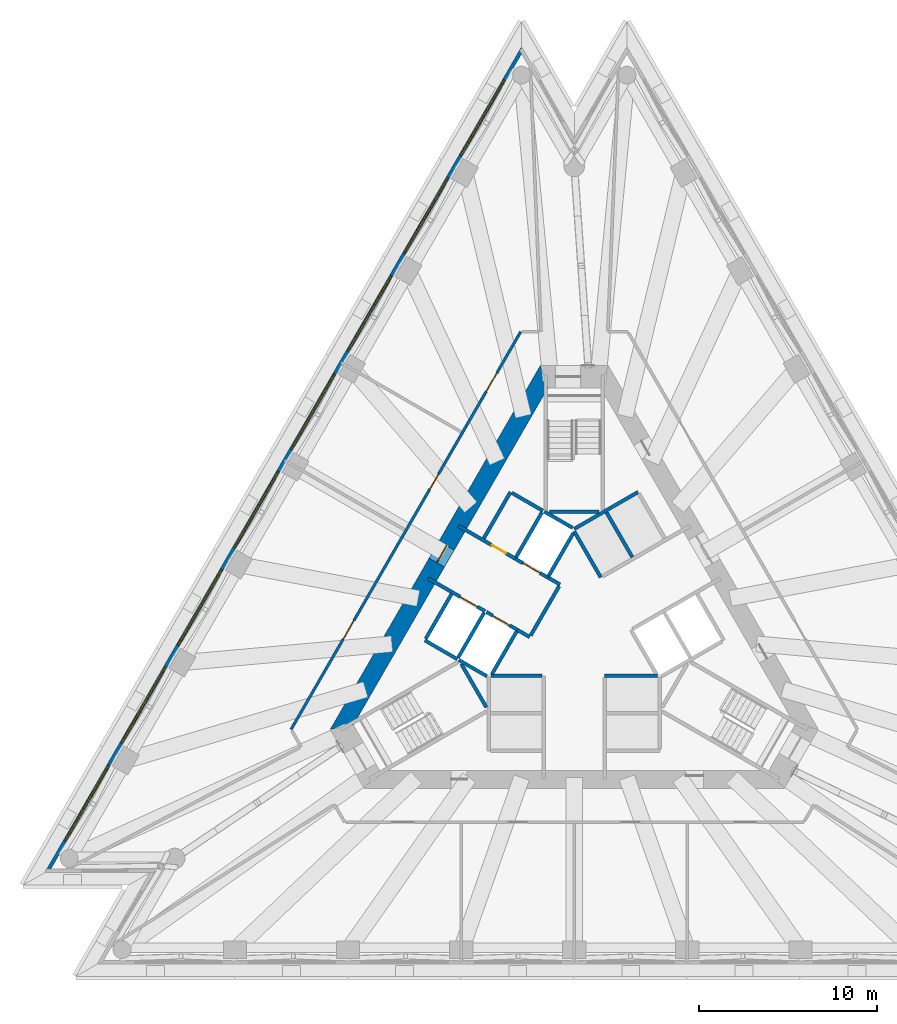
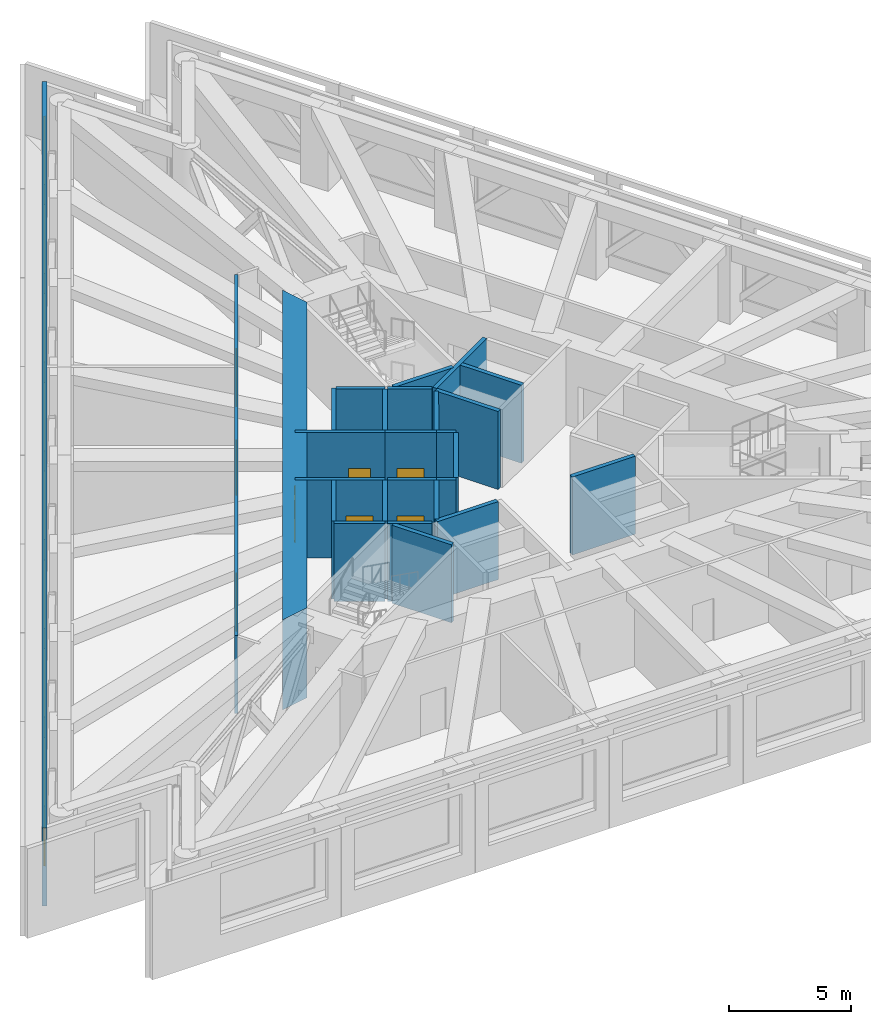
# One storey, part 7 of 12: 27 walls, 8 doors, 8 windows, 16 openings.
"""IFC4 building model written with IfcOpenShell, lengths in metres."""

from ifc_helpers import new_model, si_unit, direction, frame, frame_2d, origin, place, context, subcontext, project, spatial, polyline, rectangle, outline, extrude, material, layer, layer_set, layer_usage, type_object, element, fill, save


model = new_model("IFC4")

# Units and contexts
model_context = context("Model", 3, precision=1e-05, world=origin(), true_north=direction((0.0, 1.0)))
body_context = subcontext(model_context, "Body", "Model", "MODEL_VIEW")
ifc_project = project(units=[si_unit("LENGTHUNIT", "METRE"), si_unit("AREAUNIT", "SQUARE_METRE"), si_unit("VOLUMEUNIT", "CUBIC_METRE"), si_unit("PLANEANGLEUNIT", "RADIAN"), si_unit("MASSUNIT", "GRAM", prefix="KILO")], contexts=[model_context])

# Site, building, storey
site_placement = place(None, origin())
site = spatial("IfcSite", under=ifc_project, at=site_placement, CompositionType="ELEMENT")
building_placement = place(site_placement, origin())
building = spatial("IfcBuilding", under=site, at=building_placement, Name="Triada Interchange Tower", CompositionType="ELEMENT")
storey_placement = place(building_placement, frame((0.0, 0.0, 180.800048828125)))
storey = spatial("IfcBuildingStorey", under=building, at=storey_placement, Name="L42", CompositionType="ELEMENT", Elevation=180.800048828125)

# Walls
ifc_material_1 = material(Name="Concrete C30/37", Category="concrete")
ifc_layer_1 = layer(ifc_material_1, 0.199951171875)
ifc_layer_set_1 = layer_set([ifc_layer_1], Name="CORE WALL 200 EI 120")
wall_type_1 = type_object("IfcWallType", Name="CORE WALL 200 EI 120", PredefinedType="SOLIDWALL", material=ifc_layer_set_1)
wall_1_placement = place(storey_placement, frame((-8.3759765625, -0.70703125, 0.0), z_axis=(0.0, 0.0, 1.0), x_axis=(0.866067520717, -0.499927044236, 0.0)))
element("IfcWall", 1, at=wall_1_placement, inside=storey, type_object=wall_type_1, Name="Wall L42 22", PredefinedType="SOLIDWALL", context=body_context, shape_type="SweptSolid", body=[
    extrude(rectangle(XDim=2.100341796875, YDim=0.199951171875, at=frame_2d((1.05029296875, 0.0))), origin(), (0.0, 0.0, 1.0), 3.89990234375),
])
wall_2_placement = place(storey_placement, frame((-8.325927734375, -0.6201171875, 0.0), z_axis=(0.0, 0.0, 1.0), x_axis=(0.500023687443, 0.866011727401, 0.0)))
element("IfcWall", 2, at=wall_2_placement, inside=storey, type_object=wall_type_1, Name="Wall L42 23", PredefinedType="SOLIDWALL", context=body_context, shape_type="SweptSolid", body=[
    extrude(rectangle(XDim=2.899658203125, YDim=0.199951171875, at=frame_2d((1.44970703125, 0.0))), origin(), (0.0, 0.0, 1.0), 3.89990234375),
])
wall_3_placement = place(storey_placement, frame((-4.676025390625, -2.699951171875, 0.0), z_axis=(0.0, 0.0, 1.0), x_axis=(1.0, 0.0, 0.0)))
element("IfcWall", 3, at=wall_3_placement, inside=storey, type_object=wall_type_1, Name="Wall L42 30", PredefinedType="SOLIDWALL", context=body_context, shape_type="SweptSolid", body=[
    extrude(rectangle(XDim=2.873046875, YDim=0.199951171875, at=frame_2d((1.4365234375, 0.0))), origin(), (0.0, 0.0, 1.0), 3.89990234375),
])
wall_4_placement = place(storey_placement, frame((1.702880859375, -2.699951171875, 0.0), z_axis=(0.0, 0.0, 1.0), x_axis=(1.0, 0.0, 0.0)))
element("IfcWall", 4, at=wall_4_placement, inside=storey, type_object=wall_type_1, Name="Wall L42 31", PredefinedType="SOLIDWALL", context=body_context, shape_type="SweptSolid", body=[
    extrude(rectangle(XDim=2.97314453125, YDim=0.199951171875, at=frame_2d((1.486572265625, 0.0))), origin(), (0.0, 0.0, 1.0), 3.89990234375),
])
wall_5_placement = place(storey_placement, frame((-0.001953125, 5.541015625, 0.0), z_axis=(0.0, 0.0, 1.0), x_axis=(0.86600155993, 0.500041296494, 0.0)))
element("IfcWall", 5, at=wall_5_placement, inside=storey, type_object=wall_type_1, Name="Wall L42 32", PredefinedType="SOLIDWALL", context=body_context, shape_type="SweptSolid", body=[
    extrude(rectangle(XDim=4.131591796875, YDim=0.199951171875, at=frame_2d((2.06591796875, 0.0))), origin(), (0.0, 0.0, 1.0), 3.89990234375),
])
wall_6_placement = place(storey_placement, frame((0.0, 5.39990234375, 0.0), z_axis=(0.0, 0.0, 1.0), x_axis=(0.500103862429, -0.865965430478, 0.0)))
element("IfcWall", 6, at=wall_6_placement, inside=storey, type_object=wall_type_1, Name="Wall L42 33", PredefinedType="SOLIDWALL", context=body_context, shape_type="SweptSolid", body=[
    extrude(rectangle(XDim=2.973388671875, YDim=0.199951171875, at=frame_2d((1.48681640625, 0.0))), origin(), (0.0, 0.0, 1.0), 3.89990234375),
])
wall_7_placement = place(storey_placement, frame((1.806884765625, 6.469970703125, 0.0), z_axis=(0.0, 0.0, 1.0), x_axis=(0.50012328804, -0.865954211699, 0.0)))
element("IfcWall", 7, at=wall_7_placement, inside=storey, type_object=wall_type_1, Name="Wall L42 40", PredefinedType="SOLIDWALL", context=body_context, shape_type="SweptSolid", body=[
    extrude(rectangle(XDim=2.899658203125, YDim=0.199951171875, at=frame_2d((1.44970703125, 0.0))), origin(), (0.0, 0.0, 1.0), 3.89990234375),
])

# Wall, opening, door
ifc_layer_2 = layer(ifc_material_1, 0.199951171875)
ifc_layer_set_2 = layer_set([ifc_layer_2], Name="CORE WALL 200 EI 180")
wall_type_2 = type_object("IfcWallType", Name="CORE WALL 200 EI 180", PredefinedType="SOLIDWALL", material=ifc_layer_set_2)
wall_8_placement = place(storey_placement, frame((-8.194091796875, 2.76806640625, 0.0), z_axis=(0.0, 0.0, 1.0), x_axis=(0.866052002351, -0.499953927102, 0.0)))
wall_8 = element("IfcWall", 8, at=wall_8_placement, inside=storey, type_object=wall_type_2, Name="Wall L42 44", PredefinedType="SOLIDWALL", context=body_context, shape_type="SweptSolid", body=[
    extrude(rectangle(XDim=3.682373046875, YDim=0.199951171875, at=frame_2d((1.84130859375, 0.0))), origin(), (0.0, 0.0, 1.0), 3.89990234375),
])
opening_1_placement = place(wall_8_placement, frame((2.080078125, 0.0, 0.0)))
opening_1 = element("IfcOpeningElement", 9, at=opening_1_placement, cuts=wall_8, Name="Opening LD-SV1", PredefinedType="OPENING", context=body_context, shape_type="SweptSolid", body=[
    extrude(rectangle(XDim=1.10009765625, YDim=2.10009765625, at=frame_2d((0.550048828125, 1.050048828125))), frame((0.0, 0.10986328125, 0.0), z_axis=(0.0, -1.0, 0.0), x_axis=(1.0, 0.0, 0.0)), (0.0, 0.0, 1.0), 0.219970703125),
])
ifc_material_2 = material(Name="Steel S235 door leaf", Category="steel")
door_type_1 = type_object("IfcDoorType", Name="LIFT LANDING DOOR 1100 EI 120", OperationType="SLIDING_TO_LEFT", PredefinedType="DOOR", material=ifc_material_2)
door_1_placement = place(opening_1_placement, origin())
door_1 = element("IfcDoor", 10, at=door_1_placement, inside=storey, type_object=door_type_1, Name="SV1 landing door L42", OperationType="SLIDING_TO_LEFT", OverallHeight=2.10009765625, OverallWidth=1.10009765625, PredefinedType="DOOR", context=body_context, shape_type="SweptSolid", body=[
    extrude(rectangle(XDim=1.10009765625, YDim=2.10009765625, at=frame_2d((0.550048828125, 1.050048828125))), frame((0.0, 0.02490234375, 0.0), z_axis=(0.0, -1.0, 0.0), x_axis=(1.0, 0.0, 0.0)), (0.0, 0.0, 1.0), 0.050048828125),
])
fill(opening_1, door_1)

# Wall
wall_9_placement = place(storey_placement, frame((-3.18798828125, -0.1220703125, 0.0), z_axis=(0.0, 0.0, 1.0), x_axis=(0.865705793592, -0.50055317294, 0.0)))
element("IfcWall", 11, at=wall_9_placement, inside=storey, type_object=wall_type_2, Name="Wall L42 45", PredefinedType="SOLIDWALL", context=body_context, shape_type="SweptSolid", body=[
    extrude(rectangle(XDim=0.796875, YDim=0.199951171875, at=frame_2d((0.3984375, 0.0))), origin(), (0.0, 0.0, 1.0), 3.89990234375),
])

# Wall, opening, door
wall_10_placement = place(storey_placement, frame((-6.493896484375, 5.7119140625, 0.0), z_axis=(0.0, 0.0, 1.0), x_axis=(0.866064137879, -0.499932904579, 0.0)))
wall_10 = element("IfcWall", 12, at=wall_10_placement, inside=storey, type_object=wall_type_2, Name="Wall L42 46", PredefinedType="SOLIDWALL", context=body_context, shape_type="SweptSolid", body=[
    extrude(rectangle(XDim=3.68212890625, YDim=0.199951171875, at=frame_2d((1.841064453125, 0.0))), origin(), (0.0, 0.0, 1.0), 3.89990234375),
])
opening_2_placement = place(wall_10_placement, frame((2.179931640625, 0.0, 0.0)))
opening_2 = element("IfcOpeningElement", 13, at=opening_2_placement, cuts=wall_10, Name="Opening D42-04", PredefinedType="OPENING", context=body_context, shape_type="SweptSolid", body=[
    extrude(rectangle(XDim=0.89990234375, YDim=2.10009765625, at=frame_2d((0.449951171875, 1.050048828125))), frame((0.0, 0.10986328125, 0.0), z_axis=(0.0, -1.0, 0.0), x_axis=(1.0, 0.0, 0.0)), (0.0, 0.0, 1.0), 0.219970703125),
])
door_type_2 = type_object("IfcDoorType", Name="SERVICE DOOR 900 EI2 90-C5S200", OperationType="NOTDEFINED", PredefinedType="DOOR", material=ifc_material_2)
door_2_placement = place(opening_2_placement, origin())
door_2 = element("IfcDoor", 14, at=door_2_placement, inside=storey, type_object=door_type_2, Name="Door D42-04 L42", OperationType="SINGLE_SWING_LEFT", OverallHeight=2.10009765625, OverallWidth=0.89990234375, PredefinedType="DOOR", context=body_context, shape_type="SweptSolid", body=[
    extrude(rectangle(XDim=0.89990234375, YDim=2.10009765625, at=frame_2d((0.449951171875, 1.050048828125))), frame((0.0, 0.02490234375, 0.0), z_axis=(0.0, -1.0, 0.0), x_axis=(1.0, 0.0, 0.0)), (0.0, 0.0, 1.0), 0.050048828125),
])
fill(opening_2, door_2)

# Walls
wall_11_placement = place(storey_placement, frame((-1.488037109375, 2.822021484375, 0.0), z_axis=(0.0, 0.0, 1.0), x_axis=(0.866236612152, -0.499633997809, 0.0)))
element("IfcWall", 15, at=wall_11_placement, inside=storey, type_object=wall_type_2, Name="Wall L42 47", PredefinedType="SOLIDWALL", context=body_context, shape_type="SweptSolid", body=[
    extrude(rectangle(XDim=0.79638671875, YDim=0.199951171875, at=frame_2d((0.398193359375, 0.0))), origin(), (0.0, 0.0, 1.0), 3.89990234375),
])
wall_12_placement = place(storey_placement, frame((-5.075927734375, 5.009033203125, 0.0), z_axis=(0.0, 0.0, 1.0), x_axis=(0.50002537861, 0.866010750942, 0.0)))
element("IfcWall", 16, at=wall_12_placement, inside=storey, type_object=wall_type_2, Name="Wall L42 48", PredefinedType="SOLIDWALL", context=body_context, shape_type="SweptSolid", body=[
    extrude(rectangle(XDim=2.999755859375, YDim=0.199951171875, at=frame_2d((1.5, 0.0))), origin(), (0.0, 0.0, 1.0), 3.89990234375),
])
wall_13_placement = place(storey_placement, frame((-3.489013671875, 7.556884765625, 0.0), z_axis=(0.0, 0.0, 1.0), x_axis=(0.866010750942, -0.50002537861, 0.0)))
element("IfcWall", 17, at=wall_13_placement, inside=storey, type_object=wall_type_2, Name="Wall L42 49", PredefinedType="SOLIDWALL", context=body_context, shape_type="SweptSolid", body=[
    extrude(rectangle(XDim=2.0, YDim=0.199951171875, at=frame_2d((1.0, 0.0))), origin(), (0.0, 0.0, 1.0), 3.89990234375),
])
wall_14_placement = place(storey_placement, frame((-2.444091796875, -0.43310546875, 0.0), z_axis=(0.0, 0.0, 1.0), x_axis=(0.500035624827, 0.866004834804, 0.0)))
element("IfcWall", 18, at=wall_14_placement, inside=storey, type_object=wall_type_2, Name="Wall L42 50", PredefinedType="SOLIDWALL", context=body_context, shape_type="SweptSolid", body=[
    extrude(rectangle(XDim=3.194091796875, YDim=0.199951171875, at=frame_2d((1.59716796875, 0.0))), origin(), (0.0, 0.0, 1.0), 3.89990234375),
])
wall_15_placement = place(storey_placement, frame((-6.507080078125, -1.669921875, 0.0), z_axis=(0.0, 0.0, 1.0), x_axis=(0.50012328804, 0.865954211699, 0.0)))
element("IfcWall", 19, at=wall_15_placement, inside=storey, type_object=wall_type_2, Name="Shaft wall FF1 L42 51", PredefinedType="SOLIDWALL", context=body_context, shape_type="SweptSolid", body=[
    extrude(rectangle(XDim=2.899658203125, YDim=0.199951171875, at=frame_2d((1.44970703125, 0.0))), origin(), (0.0, 0.0, 1.0), 3.89990234375),
])
wall_16_placement = place(storey_placement, frame((-6.469970703125, -1.806884765625, 0.0), z_axis=(0.0, 0.0, 1.0), x_axis=(0.865883195159, -0.500246231712, 0.0)))
element("IfcWall", 20, at=wall_16_placement, inside=storey, type_object=wall_type_2, Name="Shaft wall FF1 L42 52", PredefinedType="SOLIDWALL", context=body_context, shape_type="SweptSolid", body=[
    extrude(rectangle(XDim=1.8154296875, YDim=0.199951171875, at=frame_2d((0.90771484375, 0.0))), origin(), (0.0, 0.0, 1.0), 3.89990234375),
])

# Wall, opening, door
wall_17_placement = place(storey_placement, frame((-4.922119140625, 0.87890625, 0.0), z_axis=(0.0, 0.0, 1.0), x_axis=(0.866073918653, -0.499915960366, 0.0)))
wall_17 = element("IfcWall", 21, at=wall_17_placement, inside=storey, type_object=wall_type_2, Name="Shaft wall FF1 L42 53", PredefinedType="SOLIDWALL", context=body_context, shape_type="SweptSolid", body=[
    extrude(rectangle(XDim=2.002197265625, YDim=0.199951171875, at=frame_2d((1.0009765625, 0.0))), origin(), (0.0, 0.0, 1.0), 3.89990234375),
])
opening_3_placement = place(wall_17_placement, frame((0.402099609375, 0.0, 0.0)))
opening_3 = element("IfcOpeningElement", 22, at=opening_3_placement, cuts=wall_17, Name="Opening LD-FF1", PredefinedType="OPENING", context=body_context, shape_type="SweptSolid", body=[
    extrude(rectangle(XDim=1.10009765625, YDim=2.10009765625, at=frame_2d((0.550048828125, 1.050048828125))), frame((0.0, 0.10986328125, 0.0), z_axis=(0.0, -1.0, 0.0), x_axis=(1.0, 0.0, 0.0)), (0.0, 0.0, 1.0), 0.219970703125),
])
door_3_placement = place(opening_3_placement, origin())
door_3 = element("IfcDoor", 23, at=door_3_placement, inside=storey, type_object=door_type_1, Name="FF1 landing door L42", OperationType="SLIDING_TO_LEFT", OverallHeight=2.10009765625, OverallWidth=1.10009765625, PredefinedType="DOOR", context=body_context, shape_type="SweptSolid", body=[
    extrude(rectangle(XDim=1.10009765625, YDim=2.10009765625, at=frame_2d((0.550048828125, 1.050048828125))), frame((0.0, 0.02490234375, 0.0), z_axis=(0.0, -1.0, 0.0), x_axis=(1.0, 0.0, 0.0)), (0.0, 0.0, 1.0), 0.050048828125),
])
fill(opening_3, door_3)

# Wall
wall_18_placement = place(storey_placement, frame((-4.618896484375, -2.60009765625, 0.0), z_axis=(0.0, 0.0, 1.0), x_axis=(0.50009492287, 0.865970593103, 0.0)))
element("IfcWall", 24, at=wall_18_placement, inside=storey, type_object=wall_type_2, Name="Shaft wall FF1 L42 54", PredefinedType="SOLIDWALL", context=body_context, shape_type="SweptSolid", body=[
    extrude(rectangle(XDim=2.76123046875, YDim=0.199951171875, at=frame_2d((1.380615234375, 0.0))), origin(), (0.0, 0.0, 1.0), 3.89990234375),
])

# Wall, opening, door
wall_19_placement = place(storey_placement, frame((-3.30908203125, 3.873046875, 0.0), z_axis=(0.0, 0.0, 1.0), x_axis=(0.866098583652, -0.499873227325, 0.0)))
wall_19 = element("IfcWall", 25, at=wall_19_placement, inside=storey, type_object=wall_type_2, Name="Shaft wall FF2 L42 55", PredefinedType="SOLIDWALL", context=body_context, shape_type="SweptSolid", body=[
    extrude(rectangle(XDim=2.1025390625, YDim=0.199951171875, at=frame_2d((1.05126953125, 0.0))), origin(), (0.0, 0.0, 1.0), 3.89990234375),
])
opening_4_placement = place(wall_19_placement, frame((0.501953125, 0.0, 0.0)))
opening_4 = element("IfcOpeningElement", 26, at=opening_4_placement, cuts=wall_19, Name="Opening LD-FF2", PredefinedType="OPENING", context=body_context, shape_type="SweptSolid", body=[
    extrude(rectangle(XDim=1.10009765625, YDim=2.10009765625, at=frame_2d((0.550048828125, 1.050048828125))), frame((0.0, 0.10986328125, 0.0), z_axis=(0.0, -1.0, 0.0), x_axis=(1.0, 0.0, 0.0)), (0.0, 0.0, 1.0), 0.219970703125),
])
door_4_placement = place(opening_4_placement, origin())
door_4 = element("IfcDoor", 27, at=door_4_placement, inside=storey, type_object=door_type_1, Name="FF2 landing door L42", OperationType="SLIDING_TO_LEFT", OverallHeight=2.10009765625, OverallWidth=1.10009765625, PredefinedType="DOOR", context=body_context, shape_type="SweptSolid", body=[
    extrude(rectangle(XDim=1.10009765625, YDim=2.10009765625, at=frame_2d((0.550048828125, 1.050048828125))), frame((0.0, 0.02490234375, 0.0), z_axis=(0.0, -1.0, 0.0), x_axis=(1.0, 0.0, 0.0)), (0.0, 0.0, 1.0), 0.050048828125),
])
fill(opening_4, door_4)

# Walls
wall_20_placement = place(storey_placement, frame((-3.257080078125, 3.958984375, 0.0), z_axis=(0.0, 0.0, 1.0), x_axis=(0.50012328804, 0.865954211699, 0.0)))
element("IfcWall", 28, at=wall_20_placement, inside=storey, type_object=wall_type_2, Name="Shaft wall FF2 L42 56", PredefinedType="SOLIDWALL", context=body_context, shape_type="SweptSolid", body=[
    extrude(rectangle(XDim=2.899658203125, YDim=0.199951171875, at=frame_2d((1.44970703125, 0.0))), origin(), (0.0, 0.0, 1.0), 3.89990234375),
])
wall_21_placement = place(storey_placement, frame((-1.669921875, 6.507080078125, 0.0), z_axis=(0.0, 0.0, 1.0), x_axis=(0.865941441609, -0.500145398563, 0.0)))
element("IfcWall", 29, at=wall_21_placement, inside=storey, type_object=wall_type_2, Name="Shaft wall FF2 L42 57", PredefinedType="SOLIDWALL", context=body_context, shape_type="SweptSolid", body=[
    extrude(rectangle(XDim=1.8154296875, YDim=0.199951171875, at=frame_2d((0.90771484375, 0.0))), origin(), (0.0, 0.0, 1.0), 3.89990234375),
])
wall_22_placement = place(storey_placement, frame((-1.43798828125, 2.908935546875, 0.0), z_axis=(0.0, 0.0, 1.0), x_axis=(0.499829630636, 0.866123744241, 0.0)))
element("IfcWall", 30, at=wall_22_placement, inside=storey, type_object=wall_type_2, Name="Shaft wall FF2 L42 58", PredefinedType="SOLIDWALL", context=body_context, shape_type="SweptSolid", body=[
    extrude(rectangle(XDim=2.7607421875, YDim=0.199951171875, at=frame_2d((1.38037109375, 0.0))), origin(), (0.0, 0.0, 1.0), 3.89990234375),
])
ifc_layer_3 = layer(ifc_material_1, 0.199951171875)
ifc_layer_set_3 = layer_set([ifc_layer_3], Name="CORE WALL 200 REI 240")
wall_type_3 = type_object("IfcWallType", Name="CORE WALL 200 REI 240", PredefinedType="SOLIDWALL", material=ifc_layer_set_3)
wall_23_placement = place(storey_placement, frame((-6.3291015625, -2.0380859375, 0.0), z_axis=(0.0, 0.0, 1.0), x_axis=(0.500200581029, -0.865909567298, 0.0)))
element("IfcWall", 31, at=wall_23_placement, inside=storey, type_object=wall_type_3, Name="Wall L42 60", PredefinedType="SOLIDWALL", context=body_context, shape_type="SweptSolid", body=[
    extrude(rectangle(XDim=2.799072265625, YDim=0.199951171875, at=frame_2d((1.3994140625, 0.0))), origin(), (0.0, 0.0, 1.0), 3.89990234375),
])
wall_24_placement = place(storey_placement, frame((-1.39990234375, 6.5, 0.0), z_axis=(0.0, 0.0, 1.0), x_axis=(1.0, 0.0, 0.0)))
element("IfcWall", 32, at=wall_24_placement, inside=storey, type_object=wall_type_3, Name="Wall L42 63", PredefinedType="SOLIDWALL", context=body_context, shape_type="SweptSolid", body=[
    extrude(rectangle(XDim=2.7998046875, YDim=0.199951171875, at=frame_2d((1.39990234375, 0.0))), origin(), (0.0, 0.0, 1.0), 3.89990234375),
])

# Wall, opening, door
ifc_material_3 = material(Name="Concrete C60/75", Category="concrete")
ifc_layer_4 = layer(ifc_material_3, 1.0)
ifc_layer_set_4 = layer_set([ifc_layer_4], Name="Core wall B 1000")
wall_type_4 = type_object("IfcWallType", Name="Core wall B 1000", PredefinedType="SHEAR", material=ifc_layer_set_4)
wall_25_placement = place(storey_placement, frame((-1.68896484375, 14.074951171875, -0.60009765625), z_axis=(0.0, 0.0, 1.0), x_axis=(-0.500003116884, -0.866023604243, 0.0)))
wall_25 = element("IfcWall", 33, at=wall_25_placement, inside=storey, type_object=wall_type_4, Name="Core wall WB02 L42", PredefinedType="SHEAR", context=body_context, shape_type="SweptSolid", body=[
    extrude(outline(polyline([(-0.43310546875, -0.5), (1.52978515625, -0.5), (3.492919921875, -0.5), (5.4560546875, -0.5), (7.4189453125, -0.5), (9.3818359375, -0.5), (11.344970703125, -0.5), (13.30810546875, -0.5), (15.27099609375, -0.5), (17.23388671875, -0.5), (19.197021484375, -0.5), (21.16015625, -0.5), (23.123046875, -0.5), (22.257080078125, 0.5), (20.273193359375, 0.5), (18.2890625, 0.5), (16.30517578125, 0.5), (14.321044921875, 0.5), (12.337158203125, 0.5), (10.35302734375, 0.5), (8.369140625, 0.5), (6.385009765625, 0.5), (4.401123046875, 0.5), (2.4169921875, 0.5), (0.43310546875, 0.5), (-0.43310546875, -0.5)])), origin(), (0.0, 0.0, 1.0), 4.5),
])
opening_5_placement = place(wall_25_placement, frame((10.93896484375, 0.0, 0.60009765625)))
opening_5 = element("IfcOpeningElement", 34, at=opening_5_placement, cuts=wall_25, Name="Opening D42-18", PredefinedType="OPENING", context=body_context, shape_type="SweptSolid", body=[
    extrude(rectangle(XDim=1.10009765625, YDim=2.10009765625, at=frame_2d((0.550048828125, 1.050048828125))), frame((0.0, 0.510009765625, 0.0), z_axis=(0.0, -1.0, 0.0), x_axis=(1.0, 0.0, 0.0)), (0.0, 0.0, 1.0), 1.02001953125),
])
door_type_3 = type_object("IfcDoorType", Name="FIRE LOBBY DOOR 1100 EI2 90-C5S200", OperationType="NOTDEFINED", PredefinedType="DOOR", material=ifc_material_2)
door_5_placement = place(opening_5_placement, origin())
door_5 = element("IfcDoor", 35, at=door_5_placement, inside=storey, type_object=door_type_3, Name="Door D42-18 L42", OperationType="SINGLE_SWING_LEFT", OverallHeight=2.10009765625, OverallWidth=1.10009765625, PredefinedType="DOOR", context=body_context, shape_type="SweptSolid", body=[
    extrude(rectangle(XDim=1.10009765625, YDim=2.10009765625, at=frame_2d((0.550048828125, 1.050048828125))), frame((0.0, 0.02490234375, 0.0), z_axis=(0.0, -1.0, 0.0), x_axis=(1.0, 0.0, 0.0)), (0.0, 0.0, 1.0), 0.050048828125),
])
fill(opening_5, door_5)

# Wall, openings, windows
ifc_material_4 = material(Name="Cement board")
ifc_layer_5 = layer(ifc_material_4, 0.02001953125, Name="Cement board cladding")
ifc_material_5 = material(Name="Sheathing board")
ifc_layer_6 = layer(ifc_material_5, 0.014892578125, Name="Sheathing board")
ifc_material_6 = material(Name="Mineral wool")
ifc_layer_7 = layer(ifc_material_6, 0.14990234375, Name="Mineral wool between steel studs")
ifc_material_7 = material(Name="Gypsum board")
ifc_layer_8 = layer(ifc_material_7, 0.014892578125, Name="Plasterboard lining")
ifc_layer_set_5 = layer_set([ifc_layer_5, ifc_layer_6, ifc_layer_7, ifc_layer_8], Name="External wall 200")
ifc_layer_usage = layer_usage(ifc_layer_set_5, "AXIS2", "POSITIVE", -0.10009765625)
wall_type_5 = type_object("IfcWallType", Name="External wall 200", PredefinedType="ELEMENTEDWALL", material=ifc_layer_set_5)
wall_26_placement = place(storey_placement, frame((-2.908935546875, 32.462890625, 0.0), z_axis=(0.0, 0.0, 1.0), x_axis=(-0.500011769953, -0.866018608292, 0.0)))
wall_26 = element("IfcWall", 36, at=wall_26_placement, inside=storey, type_object=wall_type_5, material=ifc_layer_usage, Name="External wall L42 NW", PredefinedType="ELEMENTEDWALL", context=body_context, shape_type="SweptSolid", body=[
    extrude(rectangle(XDim=53.299072265625, YDim=0.199951171875, at=frame_2d((26.6494140625, 0.0))), origin(), (0.0, 0.0, 1.0), 3.89990234375),
])
opening_6_placement = place(wall_26_placement, frame((2.02197265625, 0.0, 0.60009765625)))
opening_6 = element("IfcOpeningElement", 37, at=opening_6_placement, cuts=wall_26, Name="Opening LB01", PredefinedType="OPENING", context=body_context, shape_type="SweptSolid", body=[
    extrude(rectangle(XDim=4.89990234375, YDim=3.0, at=frame_2d((2.449951171875, 1.5))), frame((0.0, 0.10986328125, 0.0), z_axis=(0.0, -1.0, 0.0), x_axis=(1.0, 0.0, 0.0)), (0.0, 0.0, 1.0), 0.219970703125),
])
opening_7_placement = place(wall_26_placement, frame((8.361083984375, 0.0, 0.60009765625)))
opening_7 = element("IfcOpeningElement", 38, at=opening_7_placement, cuts=wall_26, Name="Opening LB02", PredefinedType="OPENING", context=body_context, shape_type="SweptSolid", body=[
    extrude(rectangle(XDim=4.89990234375, YDim=3.0, at=frame_2d((2.449951171875, 1.5))), frame((0.0, 0.10986328125, 0.0), z_axis=(0.0, -1.0, 0.0), x_axis=(1.0, 0.0, 0.0)), (0.0, 0.0, 1.0), 0.219970703125),
])
opening_8_placement = place(wall_26_placement, frame((14.699951171875, 0.0, 0.60009765625)))
opening_8 = element("IfcOpeningElement", 39, at=opening_8_placement, cuts=wall_26, Name="Opening LB03", PredefinedType="OPENING", context=body_context, shape_type="SweptSolid", body=[
    extrude(rectangle(XDim=4.89990234375, YDim=3.0, at=frame_2d((2.449951171875, 1.5))), frame((0.0, 0.10986328125, 0.0), z_axis=(0.0, -1.0, 0.0), x_axis=(1.0, 0.0, 0.0)), (0.0, 0.0, 1.0), 0.219970703125),
])
opening_9_placement = place(wall_26_placement, frame((21.0400390625, 0.0, 0.60009765625)))
opening_9 = element("IfcOpeningElement", 40, at=opening_9_placement, cuts=wall_26, Name="Opening LB04", PredefinedType="OPENING", context=body_context, shape_type="SweptSolid", body=[
    extrude(rectangle(XDim=4.89990234375, YDim=3.0, at=frame_2d((2.449951171875, 1.5))), frame((0.0, 0.10986328125, 0.0), z_axis=(0.0, -1.0, 0.0), x_axis=(1.0, 0.0, 0.0)), (0.0, 0.0, 1.0), 0.219970703125),
])
opening_10_placement = place(wall_26_placement, frame((27.37890625, 0.0, 0.60009765625)))
opening_10 = element("IfcOpeningElement", 41, at=opening_10_placement, cuts=wall_26, Name="Opening LB05", PredefinedType="OPENING", context=body_context, shape_type="SweptSolid", body=[
    extrude(rectangle(XDim=4.89990234375, YDim=3.0, at=frame_2d((2.449951171875, 1.5))), frame((0.0, 0.10986328125, 0.0), z_axis=(0.0, -1.0, 0.0), x_axis=(1.0, 0.0, 0.0)), (0.0, 0.0, 1.0), 0.219970703125),
])
opening_11_placement = place(wall_26_placement, frame((33.718017578125, 0.0, 0.60009765625)))
opening_11 = element("IfcOpeningElement", 42, at=opening_11_placement, cuts=wall_26, Name="Opening LB06", PredefinedType="OPENING", context=body_context, shape_type="SweptSolid", body=[
    extrude(rectangle(XDim=4.89990234375, YDim=3.0, at=frame_2d((2.449951171875, 1.5))), frame((0.0, 0.10986328125, 0.0), z_axis=(0.0, -1.0, 0.0), x_axis=(1.0, 0.0, 0.0)), (0.0, 0.0, 1.0), 0.219970703125),
])
opening_12_placement = place(wall_26_placement, frame((40.056884765625, 0.0, 0.60009765625)))
opening_12 = element("IfcOpeningElement", 43, at=opening_12_placement, cuts=wall_26, Name="Opening LB07", PredefinedType="OPENING", context=body_context, shape_type="SweptSolid", body=[
    extrude(rectangle(XDim=4.89990234375, YDim=3.0, at=frame_2d((2.449951171875, 1.5))), frame((0.0, 0.10986328125, 0.0), z_axis=(0.0, -1.0, 0.0), x_axis=(1.0, 0.0, 0.0)), (0.0, 0.0, 1.0), 0.219970703125),
])
opening_13_placement = place(wall_26_placement, frame((46.39599609375, 0.0, 0.60009765625)))
opening_13 = element("IfcOpeningElement", 44, at=opening_13_placement, cuts=wall_26, Name="Opening LB08", PredefinedType="OPENING", context=body_context, shape_type="SweptSolid", body=[
    extrude(rectangle(XDim=4.89990234375, YDim=3.0, at=frame_2d((2.449951171875, 1.5))), frame((0.0, 0.10986328125, 0.0), z_axis=(0.0, -1.0, 0.0), x_axis=(1.0, 0.0, 0.0)), (0.0, 0.0, 1.0), 0.219970703125),
])
ifc_material_8 = material(Name="Aluminium louvre", Category="aluminium")
window_type = type_object("IfcWindowType", Name="Plant louvre B face", PartitioningType="SINGLE_PANEL", PredefinedType="WINDOW", material=ifc_material_8)
window_1_placement = place(opening_6_placement, origin())
window_1 = element("IfcWindow", 45, at=window_1_placement, inside=storey, type_object=window_type, Name="Louvre L42 NW 1", OverallHeight=3.0, OverallWidth=4.89990234375, PartitioningType="SINGLE_PANEL", PredefinedType="WINDOW", context=body_context, shape_type="SweptSolid", body=[
    extrude(rectangle(XDim=4.89990234375, YDim=3.0, at=frame_2d((2.449951171875, 1.5))), frame((0.0, 0.030029296875, 0.0), z_axis=(0.0, -1.0, 0.0), x_axis=(1.0, 0.0, 0.0)), (0.0, 0.0, 1.0), 0.06005859375),
])
fill(opening_6, window_1)
window_2_placement = place(opening_7_placement, origin())
window_2 = element("IfcWindow", 46, at=window_2_placement, inside=storey, type_object=window_type, Name="Louvre L42 NW 2", OverallHeight=3.0, OverallWidth=4.89990234375, PartitioningType="SINGLE_PANEL", PredefinedType="WINDOW", context=body_context, shape_type="SweptSolid", body=[
    extrude(rectangle(XDim=4.89990234375, YDim=3.0, at=frame_2d((2.449951171875, 1.5))), frame((0.0, 0.030029296875, 0.0), z_axis=(0.0, -1.0, 0.0), x_axis=(1.0, 0.0, 0.0)), (0.0, 0.0, 1.0), 0.06005859375),
])
fill(opening_7, window_2)
window_3_placement = place(opening_8_placement, origin())
window_3 = element("IfcWindow", 47, at=window_3_placement, inside=storey, type_object=window_type, Name="Louvre L42 NW 3", OverallHeight=3.0, OverallWidth=4.89990234375, PartitioningType="SINGLE_PANEL", PredefinedType="WINDOW", context=body_context, shape_type="SweptSolid", body=[
    extrude(rectangle(XDim=4.89990234375, YDim=3.0, at=frame_2d((2.449951171875, 1.5))), frame((0.0, 0.030029296875, 0.0), z_axis=(0.0, -1.0, 0.0), x_axis=(1.0, 0.0, 0.0)), (0.0, 0.0, 1.0), 0.06005859375),
])
fill(opening_8, window_3)
window_4_placement = place(opening_9_placement, origin())
window_4 = element("IfcWindow", 48, at=window_4_placement, inside=storey, type_object=window_type, Name="Louvre L42 NW 4", OverallHeight=3.0, OverallWidth=4.89990234375, PartitioningType="SINGLE_PANEL", PredefinedType="WINDOW", context=body_context, shape_type="SweptSolid", body=[
    extrude(rectangle(XDim=4.89990234375, YDim=3.0, at=frame_2d((2.449951171875, 1.5))), frame((0.0, 0.030029296875, 0.0), z_axis=(0.0, -1.0, 0.0), x_axis=(1.0, 0.0, 0.0)), (0.0, 0.0, 1.0), 0.06005859375),
])
fill(opening_9, window_4)
window_5_placement = place(opening_10_placement, origin())
window_5 = element("IfcWindow", 49, at=window_5_placement, inside=storey, type_object=window_type, Name="Louvre L42 NW 5", OverallHeight=3.0, OverallWidth=4.89990234375, PartitioningType="SINGLE_PANEL", PredefinedType="WINDOW", context=body_context, shape_type="SweptSolid", body=[
    extrude(rectangle(XDim=4.89990234375, YDim=3.0, at=frame_2d((2.449951171875, 1.5))), frame((0.0, 0.030029296875, 0.0), z_axis=(0.0, -1.0, 0.0), x_axis=(1.0, 0.0, 0.0)), (0.0, 0.0, 1.0), 0.06005859375),
])
fill(opening_10, window_5)
window_6_placement = place(opening_11_placement, origin())
window_6 = element("IfcWindow", 50, at=window_6_placement, inside=storey, type_object=window_type, Name="Louvre L42 NW 6", OverallHeight=3.0, OverallWidth=4.89990234375, PartitioningType="SINGLE_PANEL", PredefinedType="WINDOW", context=body_context, shape_type="SweptSolid", body=[
    extrude(rectangle(XDim=4.89990234375, YDim=3.0, at=frame_2d((2.449951171875, 1.5))), frame((0.0, 0.030029296875, 0.0), z_axis=(0.0, -1.0, 0.0), x_axis=(1.0, 0.0, 0.0)), (0.0, 0.0, 1.0), 0.06005859375),
])
fill(opening_11, window_6)
window_7_placement = place(opening_12_placement, origin())
window_7 = element("IfcWindow", 51, at=window_7_placement, inside=storey, type_object=window_type, Name="Louvre L42 NW 7", OverallHeight=3.0, OverallWidth=4.89990234375, PartitioningType="SINGLE_PANEL", PredefinedType="WINDOW", context=body_context, shape_type="SweptSolid", body=[
    extrude(rectangle(XDim=4.89990234375, YDim=3.0, at=frame_2d((2.449951171875, 1.5))), frame((0.0, 0.030029296875, 0.0), z_axis=(0.0, -1.0, 0.0), x_axis=(1.0, 0.0, 0.0)), (0.0, 0.0, 1.0), 0.06005859375),
])
fill(opening_12, window_7)
window_8_placement = place(opening_13_placement, origin())
window_8 = element("IfcWindow", 52, at=window_8_placement, inside=storey, type_object=window_type, Name="Louvre L42 NW 8", OverallHeight=3.0, OverallWidth=4.89990234375, PartitioningType="SINGLE_PANEL", PredefinedType="WINDOW", context=body_context, shape_type="SweptSolid", body=[
    extrude(rectangle(XDim=4.89990234375, YDim=3.0, at=frame_2d((2.449951171875, 1.5))), frame((0.0, 0.030029296875, 0.0), z_axis=(0.0, -1.0, 0.0), x_axis=(1.0, 0.0, 0.0)), (0.0, 0.0, 1.0), 0.06005859375),
])
fill(opening_13, window_8)

# Wall, openings, doors
ifc_material_9 = material(Name="Gypsum board partition")
ifc_layer_9 = layer(ifc_material_9, 0.14990234375)
ifc_layer_set_6 = layer_set([ifc_layer_9], Name="PARTITION 150 EI 180")
wall_type_6 = type_object("IfcWallType", Name="PARTITION 150 EI 180", PredefinedType="PARTITIONING", material=ifc_layer_set_6)
wall_27_placement = place(storey_placement, frame((-15.876953125, -5.699951171875, 0.0), z_axis=(0.0, 0.0, 1.0), x_axis=(0.500001771058, 0.866024381261, 0.0)))
wall_27 = element("IfcWall", 53, at=wall_27_placement, inside=storey, type_object=wall_type_6, Name="Wall L42 1", PredefinedType="PARTITIONING", context=body_context, shape_type="SweptSolid", body=[
    extrude(rectangle(XDim=25.75, YDim=0.14990234375, at=frame_2d((12.875, 0.0))), origin(), (0.0, 0.0, 1.0), 3.89990234375),
])
opening_14_placement = place(wall_27_placement, frame((21.882080078125, 0.0, 0.0)))
opening_14 = element("IfcOpeningElement", 54, at=opening_14_placement, cuts=wall_27, Name="Opening D42-11", PredefinedType="OPENING", context=body_context, shape_type="SweptSolid", body=[
    extrude(rectangle(XDim=1.199951171875, YDim=2.10009765625, at=frame_2d((0.60009765625, 1.050048828125))), frame((0.0, 0.0849609375, 0.0), z_axis=(0.0, -1.0, 0.0), x_axis=(1.0, 0.0, 0.0)), (0.0, 0.0, 1.0), 0.169921875),
])
opening_15_placement = place(wall_27_placement, frame((15.544921875, 0.0, 0.0)))
opening_15 = element("IfcOpeningElement", 55, at=opening_15_placement, cuts=wall_27, Name="Opening D42-12", PredefinedType="OPENING", context=body_context, shape_type="SweptSolid", body=[
    extrude(rectangle(XDim=1.0, YDim=2.10009765625, at=frame_2d((0.5, 1.050048828125))), frame((0.0, 0.0849609375, 0.0), z_axis=(0.0, -1.0, 0.0), x_axis=(1.0, 0.0, 0.0)), (0.0, 0.0, 1.0), 0.169921875),
])
opening_16_placement = place(wall_27_placement, frame((5.837890625, 0.0, 0.0)))
opening_16 = element("IfcOpeningElement", 56, at=opening_16_placement, cuts=wall_27, Name="Opening D42-13", PredefinedType="OPENING", context=body_context, shape_type="SweptSolid", body=[
    extrude(rectangle(XDim=1.199951171875, YDim=2.10009765625, at=frame_2d((0.60009765625, 1.050048828125))), frame((0.0, 0.0849609375, 0.0), z_axis=(0.0, -1.0, 0.0), x_axis=(1.0, 0.0, 0.0)), (0.0, 0.0, 1.0), 0.169921875),
])
door_type_4 = type_object("IfcDoorType", Name="DOUBLE ROOM DOOR 1200 EI2 45-C5S200", OperationType="DOUBLE_DOOR_SINGLE_SWING", PredefinedType="DOOR", material=ifc_material_2)
door_6_placement = place(opening_14_placement, origin())
door_6 = element("IfcDoor", 57, at=door_6_placement, inside=storey, type_object=door_type_4, Name="Door D42-11 L42", OperationType="DOUBLE_DOOR_SINGLE_SWING", OverallHeight=2.10009765625, OverallWidth=1.199951171875, PredefinedType="DOOR", context=body_context, shape_type="SweptSolid", body=[
    extrude(rectangle(XDim=1.199951171875, YDim=2.10009765625, at=frame_2d((0.60009765625, 1.050048828125))), frame((0.0, 0.02490234375, 0.0), z_axis=(0.0, -1.0, 0.0), x_axis=(1.0, 0.0, 0.0)), (0.0, 0.0, 1.0), 0.050048828125),
])
fill(opening_14, door_6)
door_7_placement = place(opening_16_placement, origin())
door_7 = element("IfcDoor", 58, at=door_7_placement, inside=storey, type_object=door_type_4, Name="Door D42-13 L42", OperationType="DOUBLE_DOOR_SINGLE_SWING", OverallHeight=2.10009765625, OverallWidth=1.199951171875, PredefinedType="DOOR", context=body_context, shape_type="SweptSolid", body=[
    extrude(rectangle(XDim=1.199951171875, YDim=2.10009765625, at=frame_2d((0.60009765625, 1.050048828125))), frame((0.0, 0.02490234375, 0.0), z_axis=(0.0, -1.0, 0.0), x_axis=(1.0, 0.0, 0.0)), (0.0, 0.0, 1.0), 0.050048828125),
])
fill(opening_16, door_7)
door_type_5 = type_object("IfcDoorType", Name="ROOM DOOR 1000 EI2 45-C5S200", OperationType="NOTDEFINED", PredefinedType="DOOR", material=ifc_material_2)
door_8_placement = place(opening_15_placement, origin())
door_8 = element("IfcDoor", 59, at=door_8_placement, inside=storey, type_object=door_type_5, Name="Door D42-12 L42", OperationType="SINGLE_SWING_LEFT", OverallHeight=2.10009765625, OverallWidth=1.0, PredefinedType="DOOR", context=body_context, shape_type="SweptSolid", body=[
    extrude(rectangle(XDim=1.0, YDim=2.10009765625, at=frame_2d((0.5, 1.050048828125))), frame((0.0, 0.02490234375, 0.0), z_axis=(0.0, -1.0, 0.0), x_axis=(1.0, 0.0, 0.0)), (0.0, 0.0, 1.0), 0.050048828125),
])
fill(opening_15, door_8)

save(model, "model.ifc")
